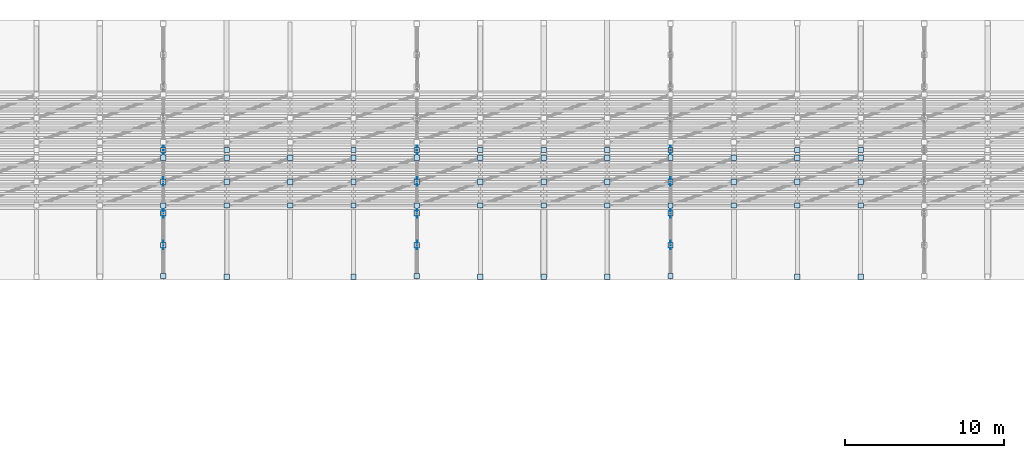
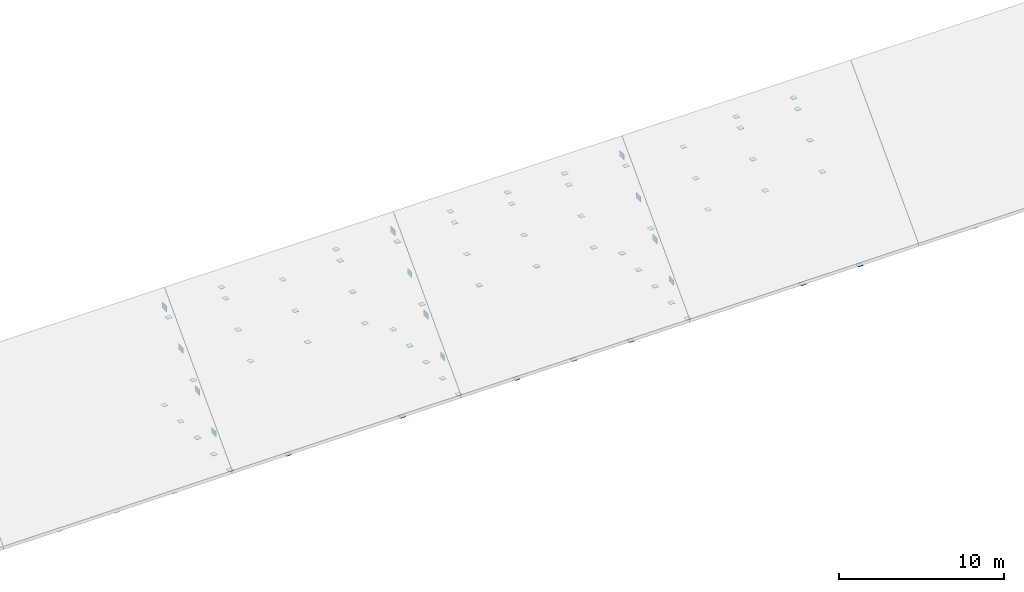
# One storey, part 15 of 18: 74 plates.
"""IFC4 building model written with IfcOpenShell, lengths in metres."""

from ifc_helpers import new_model, si_unit, direction, frame, origin, origin_2d, place, context, subcontext, project, spatial, rectangle, extrude, material, layer, layer_set, type_object, element, save


model = new_model("IFC4")

# Units and contexts
model_context = context("Model", 3, precision=1e-05, world=origin(), true_north=direction((0.0, 1.0)))
body_context = subcontext(model_context, "Body", "Model", "MODEL_VIEW")
ifc_project = project(units=[si_unit("LENGTHUNIT", "METRE"), si_unit("AREAUNIT", "SQUARE_METRE"), si_unit("VOLUMEUNIT", "CUBIC_METRE"), si_unit("PLANEANGLEUNIT", "RADIAN"), si_unit("MASSUNIT", "GRAM", prefix="KILO")], contexts=[model_context])

# Site, building, storey
site_placement = place(None, origin())
site = spatial("IfcSite", under=ifc_project, at=site_placement, CompositionType="ELEMENT")
building_placement = place(site_placement, origin())
building = spatial("IfcBuilding", under=site, at=building_placement, Name="Serraluz Foothill Cableway Terminal", CompositionType="ELEMENT")
storey_placement = place(building_placement, frame((0.0, 0.0, 24.300048828125)))
storey = spatial("IfcBuildingStorey", under=building, at=storey_placement, Name="RF", CompositionType="ELEMENT", Elevation=24.300048828125)

# Plates
ifc_material = material(Name="Steel ASTM A572 Grade 50", Category="steel")
ifc_layer_1 = layer(ifc_material, 0.02001953125, Name="Steel ASTM A572 Grade 50", Category="steel")
ifc_layer_set_1 = layer_set([ifc_layer_1], Name="Steel ASTM A572 Grade 50")
plate_type_1 = type_object("IfcPlateType", Name="TYP-PL-GUS-20", PredefinedType="USERDEFINED", material=ifc_layer_set_1)
for number, where, z_axis, x_axis, name in (
    (1, (88.0, 58.0, -3.195068359375), (0.0, 0.0, 1.0), (1.0, 0.0, 0.0), "Truss Node Gusset Plate PL-GP-0022"),
    (2, (104.0, 58.0, -3.195068359375), (0.0, 0.0, 1.0), (1.0, 0.0, 0.0), "Truss Node Gusset Plate PL-GP-0029"),
    (3, (120.0, 58.0, -3.195068359375), (0.0, 0.0, 1.0), (1.0, 0.0, 0.0), "Truss Node Gusset Plate PL-GP-0036"),
):
    element("IfcPlate", number, at=place(storey_placement, frame(where, z_axis=z_axis, x_axis=x_axis)), inside=storey, type_object=plate_type_1, Name=name, ObjectType="GUSSET_PLATE", PredefinedType="USERDEFINED", context=body_context, shape_type="SweptSolid", body=[
        extrude(rectangle(XDim=0.02001953125, YDim=0.5400390625, at=origin_2d()), origin(), (0.0, 0.0, 1.0), 0.419921875),
    ])
for number, where, z_axis, x_axis, name in (
    (4, (88.0, 62.0, -4.6201171875), (0.0, 0.0, 1.0), (1.0, 0.0, 0.0), "Brace End Gusset Plate PL-END-0036"),
    (5, (104.0, 58.0, -4.6201171875), (0.0, 0.0, 1.0), (1.0, 0.0, 0.0), "Brace End Gusset Plate PL-END-0045"),
    (6, (104.0, 64.0, -4.6201171875), (0.0, 0.0, 1.0), (1.0, 0.0, 0.0), "Brace End Gusset Plate PL-END-0048"),
    (7, (120.0, 60.0, -4.6201171875), (0.0, 0.0, 1.0), (1.0, 0.0, 0.0), "Brace End Gusset Plate PL-END-0057"),
    (8, (120.0, 56.04736328125, -4.593017578125), (0.0, 0.0, 1.0), (1.0, 0.0, 0.0), "Brace End Gusset Plate PL-END-0063"),
    (9, (100.0, 56.0, -4.81005859375), (0.0, 0.0, 1.0), (1.0, 0.0, 0.0), "Brace End Gusset Plate PL-END-0111"),
    (10, (108.0, 56.0, -4.81005859375), (0.0, 0.0, 1.0), (1.0, 0.0, 0.0), "Brace End Gusset Plate PL-END-0114"),
    (11, (112.0, 56.0, -4.81005859375), (0.0, 0.0, 1.0), (1.0, 0.0, 0.0), "Brace End Gusset Plate PL-END-0117"),
    (12, (116.0, 56.0, -4.81005859375), (0.0, 0.0, 1.0), (1.0, 0.0, 0.0), "Brace End Gusset Plate PL-END-0120"),
    (13, (128.0, 64.0, 2.68994140625), (0.0, 0.0, 1.0), (1.0, 0.0, 0.0), "Brace End Gusset Plate PL-END-0123"),
    (14, (132.0, 64.0, 2.68994140625), (0.0, 0.0, 1.0), (1.0, 0.0, 0.0), "Brace End Gusset Plate PL-END-0126"),
    (15, (92.0, 63.5, 2.1611328125), (0.0, 0.0, 1.0), (1.0, 0.0, 0.0), "Brace End Gusset Plate PL-END-0201"),
    (16, (96.0, 63.5, 2.1611328125), (0.0, 0.0, 1.0), (1.0, 0.0, 0.0), "Brace End Gusset Plate PL-END-0207"),
    (17, (100.0, 63.5, 2.1611328125), (0.0, 0.0, 1.0), (1.0, 0.0, 0.0), "Brace End Gusset Plate PL-END-0213"),
    (18, (108.0, 62.0, 0.7548828125), (0.0, 0.0, 1.0), (1.0, 0.0, 0.0), "Brace End Gusset Plate PL-END-0222"),
    (19, (112.0, 62.0, 0.7548828125), (0.0, 0.0, 1.0), (1.0, 0.0, 0.0), "Brace End Gusset Plate PL-END-0228"),
    (20, (116.0, 62.0, 0.7548828125), (0.0, 0.0, 1.0), (1.0, 0.0, 0.0), "Brace End Gusset Plate PL-END-0234"),
    (21, (120.0, 63.5, 2.1611328125), (0.0, 0.0, 1.0), (1.0, 0.0, 0.0), "Brace End Gusset Plate PL-END-0240"),
    (22, (120.0, 60.5, -0.6513671875), (0.0, 0.0, 1.0), (1.0, 0.0, 0.0), "Brace End Gusset Plate PL-END-0243"),
    (23, (124.0, 60.5, -0.6513671875), (0.0, 0.0, 1.0), (1.0, 0.0, 0.0), "Brace End Gusset Plate PL-END-0249"),
    (24, (128.0, 60.5, -0.6513671875), (0.0, 0.0, 1.0), (1.0, 0.0, 0.0), "Brace End Gusset Plate PL-END-0255"),
    (25, (132.0, 60.5, -0.6513671875), (0.0, 0.0, 1.0), (1.0, 0.0, 0.0), "Brace End Gusset Plate PL-END-0261"),
):
    element("IfcPlate", number, at=place(storey_placement, frame(where, z_axis=z_axis, x_axis=x_axis)), inside=storey, type_object=plate_type_1, Name=name, ObjectType="GUSSET_PLATE", PredefinedType="USERDEFINED", context=body_context, shape_type="SweptSolid", body=[
        extrude(rectangle(XDim=0.340087890625, YDim=0.340087890625, at=origin_2d()), origin(), (0.0, 0.0, 1.0), 0.02001953125),
    ])
ifc_layer_2 = layer(ifc_material, 0.02392578125, Name="Steel ASTM A572 Grade 50", Category="steel")
ifc_layer_set_2 = layer_set([ifc_layer_2], Name="Steel ASTM A572 Grade 50")
plate_type_2 = type_object("IfcPlateType", Name="TYP-PL-GUS-24", PredefinedType="USERDEFINED", material=ifc_layer_set_2)
for number, where, z_axis, x_axis, name in (
    (26, (88.0, 62.0, 0.554931640625), (0.0, 0.0, 1.0), (1.0, 0.0, 0.0), "Truss Node Gusset Plate PL-GP-0024"),
    (27, (104.0, 62.0, 0.554931640625), (0.0, 0.0, 1.0), (1.0, 0.0, 0.0), "Truss Node Gusset Plate PL-GP-0031"),
    (28, (120.0, 62.0, 0.554931640625), (0.0, 0.0, 1.0), (1.0, 0.0, 0.0), "Truss Node Gusset Plate PL-GP-0038"),
):
    element("IfcPlate", number, at=place(storey_placement, frame(where, z_axis=z_axis, x_axis=x_axis)), inside=storey, type_object=plate_type_2, Name=name, ObjectType="GUSSET_PLATE", PredefinedType="USERDEFINED", context=body_context, shape_type="SweptSolid", body=[
        extrude(rectangle(XDim=0.02392578125, YDim=0.5400390625, at=origin_2d()), origin(), (0.0, 0.0, 1.0), 0.419921875),
    ])
for number, where, z_axis, x_axis, name in (
    (29, (88.0, 58.0, -4.6220703125), (0.0, 0.0, 1.0), (1.0, 0.0, 0.0), "Brace End Gusset Plate PL-END-0034"),
    (30, (88.0, 64.0, -4.6220703125), (0.0, 0.0, 1.0), (1.0, 0.0, 0.0), "Brace End Gusset Plate PL-END-0037"),
    (31, (104.0, 60.0, -4.6220703125), (0.0, 0.0, 1.0), (1.0, 0.0, 0.0), "Brace End Gusset Plate PL-END-0046"),
    (32, (104.0, 56.04736328125, -4.594970703125), (0.0, 0.0, 1.0), (1.0, 0.0, 0.0), "Brace End Gusset Plate PL-END-0052"),
    (33, (120.0, 62.0, -4.6220703125), (0.0, 0.0, 1.0), (1.0, 0.0, 0.0), "Brace End Gusset Plate PL-END-0058"),
    (34, (92.0, 56.0, -4.81201171875), (0.0, 0.0, 1.0), (1.0, 0.0, 0.0), "Brace End Gusset Plate PL-END-0109"),
    (35, (100.0, 64.0, 2.68798828125), (0.0, 0.0, 1.0), (1.0, 0.0, 0.0), "Brace End Gusset Plate PL-END-0112"),
    (36, (108.0, 64.0, 2.68798828125), (0.0, 0.0, 1.0), (1.0, 0.0, 0.0), "Brace End Gusset Plate PL-END-0115"),
    (37, (112.0, 64.0, 2.68798828125), (0.0, 0.0, 1.0), (1.0, 0.0, 0.0), "Brace End Gusset Plate PL-END-0118"),
    (38, (116.0, 64.0, 2.68798828125), (0.0, 0.0, 1.0), (1.0, 0.0, 0.0), "Brace End Gusset Plate PL-END-0121"),
    (39, (88.0, 63.5, 2.1591796875), (0.0, 0.0, 1.0), (1.0, 0.0, 0.0), "Brace End Gusset Plate PL-END-0196"),
    (40, (88.0, 60.5, -0.6533203125), (0.0, 0.0, 1.0), (1.0, 0.0, 0.0), "Brace End Gusset Plate PL-END-0199"),
    (41, (92.0, 60.5, -0.6533203125), (0.0, 0.0, 1.0), (1.0, 0.0, 0.0), "Brace End Gusset Plate PL-END-0205"),
    (42, (96.0, 60.5, -0.6533203125), (0.0, 0.0, 1.0), (1.0, 0.0, 0.0), "Brace End Gusset Plate PL-END-0211"),
    (43, (100.0, 60.5, -0.6533203125), (0.0, 0.0, 1.0), (1.0, 0.0, 0.0), "Brace End Gusset Plate PL-END-0217"),
    (44, (108.0, 63.5, 2.1591796875), (0.0, 0.0, 1.0), (1.0, 0.0, 0.0), "Brace End Gusset Plate PL-END-0223"),
    (45, (112.0, 63.5, 2.1591796875), (0.0, 0.0, 1.0), (1.0, 0.0, 0.0), "Brace End Gusset Plate PL-END-0229"),
    (46, (116.0, 63.5, 2.1591796875), (0.0, 0.0, 1.0), (1.0, 0.0, 0.0), "Brace End Gusset Plate PL-END-0235"),
    (47, (124.0, 62.0, 0.7529296875), (0.0, 0.0, 1.0), (1.0, 0.0, 0.0), "Brace End Gusset Plate PL-END-0244"),
    (48, (128.0, 62.0, 0.7529296875), (0.0, 0.0, 1.0), (1.0, 0.0, 0.0), "Brace End Gusset Plate PL-END-0250"),
    (49, (132.0, 62.0, 0.7529296875), (0.0, 0.0, 1.0), (1.0, 0.0, 0.0), "Brace End Gusset Plate PL-END-0256"),
):
    element("IfcPlate", number, at=place(storey_placement, frame(where, z_axis=z_axis, x_axis=x_axis)), inside=storey, type_object=plate_type_2, Name=name, ObjectType="GUSSET_PLATE", PredefinedType="USERDEFINED", context=body_context, shape_type="SweptSolid", body=[
        extrude(rectangle(XDim=0.340087890625, YDim=0.340087890625, at=origin_2d()), origin(), (0.0, 0.0, 1.0), 0.02392578125),
    ])
ifc_layer_3 = layer(ifc_material, 0.030029296875, Name="Steel ASTM A572 Grade 50", Category="steel")
ifc_layer_set_3 = layer_set([ifc_layer_3], Name="Steel ASTM A572 Grade 50")
plate_type_3 = type_object("IfcPlateType", Name="TYP-PL-GUS-30", PredefinedType="USERDEFINED", material=ifc_layer_set_3)
for number, where, z_axis, x_axis, name in (
    (50, (88.0, 64.0, 2.429931640625), (0.0, 0.0, 1.0), (1.0, 0.0, 0.0), "Truss Node Gusset Plate PL-GP-0025"),
    (51, (104.0, 64.0, 2.429931640625), (0.0, 0.0, 1.0), (1.0, 0.0, 0.0), "Truss Node Gusset Plate PL-GP-0032"),
    (52, (120.0, 64.0, 2.429931640625), (0.0, 0.0, 1.0), (1.0, 0.0, 0.0), "Truss Node Gusset Plate PL-GP-0039"),
):
    element("IfcPlate", number, at=place(storey_placement, frame(where, z_axis=z_axis, x_axis=x_axis)), inside=storey, type_object=plate_type_3, Name=name, ObjectType="GUSSET_PLATE", PredefinedType="USERDEFINED", context=body_context, shape_type="SweptSolid", body=[
        extrude(rectangle(XDim=0.030029296875, YDim=0.5400390625, at=origin_2d()), origin(), (0.0, 0.0, 1.0), 0.419921875),
    ])
for number, where, z_axis, x_axis, name in (
    (53, (88.0, 60.0, -4.625), (0.0, 0.0, 1.0), (1.0, 0.0, 0.0), "Brace End Gusset Plate PL-END-0035"),
    (54, (88.0, 56.04736328125, -4.59814453125), (0.0, 0.0, 1.0), (1.0, 0.0, 0.0), "Brace End Gusset Plate PL-END-0041"),
    (55, (104.0, 62.0, -4.625), (0.0, 0.0, 1.0), (1.0, 0.0, 0.0), "Brace End Gusset Plate PL-END-0047"),
    (56, (120.0, 58.0, -4.625), (0.0, 0.0, 1.0), (1.0, 0.0, 0.0), "Brace End Gusset Plate PL-END-0056"),
    (57, (120.0, 64.0, -4.625), (0.0, 0.0, 1.0), (1.0, 0.0, 0.0), "Brace End Gusset Plate PL-END-0059"),
    (58, (92.0, 64.0, 2.68505859375), (0.0, 0.0, 1.0), (1.0, 0.0, 0.0), "Brace End Gusset Plate PL-END-0110"),
    (59, (128.0, 56.0, -4.81494140625), (0.0, 0.0, 1.0), (1.0, 0.0, 0.0), "Brace End Gusset Plate PL-END-0122"),
    (60, (132.0, 56.0, -4.81494140625), (0.0, 0.0, 1.0), (1.0, 0.0, 0.0), "Brace End Gusset Plate PL-END-0125"),
    (61, (92.0, 62.0, 0.75), (0.0, 0.0, 1.0), (1.0, 0.0, 0.0), "Brace End Gusset Plate PL-END-0200"),
    (62, (96.0, 62.0, 0.75), (0.0, 0.0, 1.0), (1.0, 0.0, 0.0), "Brace End Gusset Plate PL-END-0206"),
    (63, (100.0, 62.0, 0.75), (0.0, 0.0, 1.0), (1.0, 0.0, 0.0), "Brace End Gusset Plate PL-END-0212"),
    (64, (104.0, 63.5, 2.15625), (0.0, 0.0, 1.0), (1.0, 0.0, 0.0), "Brace End Gusset Plate PL-END-0218"),
    (65, (104.0, 60.5, -0.65625), (0.0, 0.0, 1.0), (1.0, 0.0, 0.0), "Brace End Gusset Plate PL-END-0221"),
    (66, (108.0, 60.5, -0.65625), (0.0, 0.0, 1.0), (1.0, 0.0, 0.0), "Brace End Gusset Plate PL-END-0227"),
    (67, (112.0, 60.5, -0.65625), (0.0, 0.0, 1.0), (1.0, 0.0, 0.0), "Brace End Gusset Plate PL-END-0233"),
    (68, (116.0, 60.5, -0.65625), (0.0, 0.0, 1.0), (1.0, 0.0, 0.0), "Brace End Gusset Plate PL-END-0239"),
    (69, (124.0, 63.5, 2.15625), (0.0, 0.0, 1.0), (1.0, 0.0, 0.0), "Brace End Gusset Plate PL-END-0245"),
    (70, (128.0, 63.5, 2.15625), (0.0, 0.0, 1.0), (1.0, 0.0, 0.0), "Brace End Gusset Plate PL-END-0251"),
    (71, (132.0, 63.5, 2.15625), (0.0, 0.0, 1.0), (1.0, 0.0, 0.0), "Brace End Gusset Plate PL-END-0257"),
):
    element("IfcPlate", number, at=place(storey_placement, frame(where, z_axis=z_axis, x_axis=x_axis)), inside=storey, type_object=plate_type_3, Name=name, ObjectType="GUSSET_PLATE", PredefinedType="USERDEFINED", context=body_context, shape_type="SweptSolid", body=[
        extrude(rectangle(XDim=0.340087890625, YDim=0.340087890625, at=origin_2d()), origin(), (0.0, 0.0, 1.0), 0.030029296875),
    ])
ifc_layer_4 = layer(ifc_material, 0.035888671875, Name="Steel ASTM A572 Grade 50", Category="steel")
ifc_layer_set_4 = layer_set([ifc_layer_4], Name="Steel ASTM A572 Grade 50")
plate_type_4 = type_object("IfcPlateType", Name="TYP-PL-GUS-36", PredefinedType="USERDEFINED", material=ifc_layer_set_4)
for number, where, z_axis, x_axis, name in (
    (72, (88.0, 60.0, -1.320068359375), (0.0, 0.0, 1.0), (1.0, 0.0, 0.0), "Truss Node Gusset Plate PL-GP-0023"),
    (73, (104.0, 60.0, -1.320068359375), (0.0, 0.0, 1.0), (1.0, 0.0, 0.0), "Truss Node Gusset Plate PL-GP-0030"),
    (74, (120.0, 60.0, -1.320068359375), (0.0, 0.0, 1.0), (1.0, 0.0, 0.0), "Truss Node Gusset Plate PL-GP-0037"),
):
    element("IfcPlate", number, at=place(storey_placement, frame(where, z_axis=z_axis, x_axis=x_axis)), inside=storey, type_object=plate_type_4, Name=name, ObjectType="GUSSET_PLATE", PredefinedType="USERDEFINED", context=body_context, shape_type="SweptSolid", body=[
        extrude(rectangle(XDim=0.035888671875, YDim=0.5400390625, at=origin_2d()), origin(), (0.0, 0.0, 1.0), 0.419921875),
    ])

save(model, "model.ifc")
